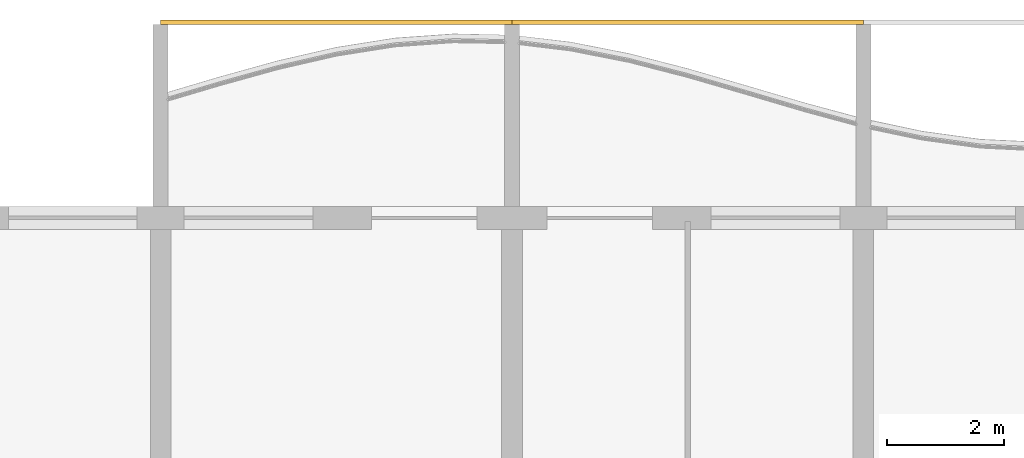
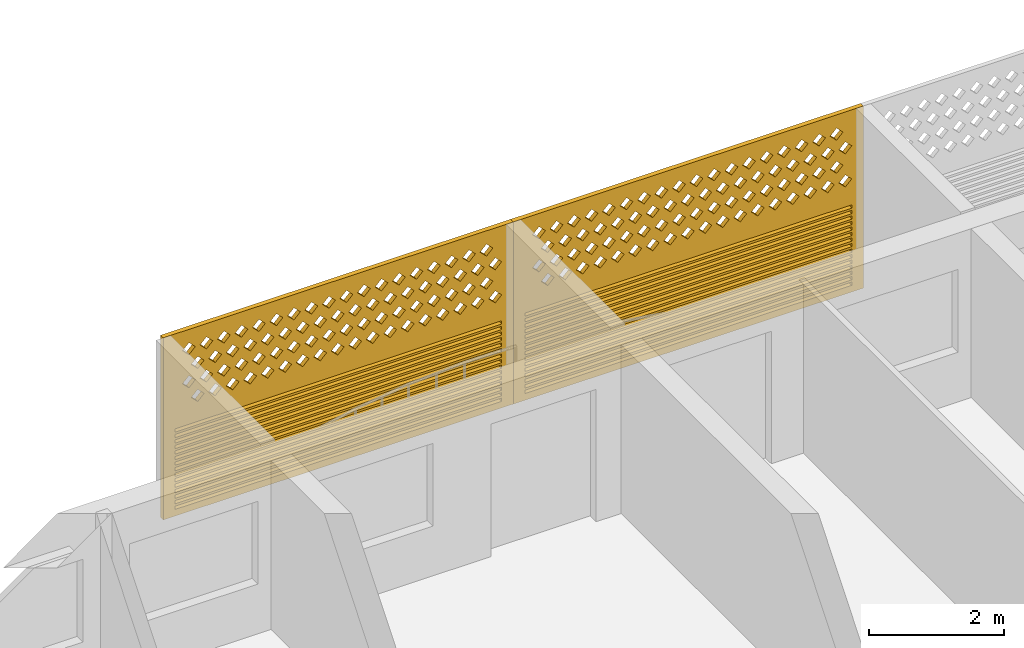
# One storey, part 22 of 31: 2 coverings.
"""IFC4 building model written with IfcOpenShell, lengths in metres."""

from ifc_helpers import new_model, si_unit, direction, frame, origin, place, context, subcontext, project, spatial, polyline, outline, extrude, source, transform, mapped, material, material_profile, profile_set, type_object, element, save


model = new_model("IFC4")

# Units and contexts
model_context = context("Model", 3, precision=1e-05, world=origin(), true_north=direction((0.0, 1.0)))
body_context = subcontext(model_context, "Body", "Model", "MODEL_VIEW")
ifc_project = project(units=[si_unit("LENGTHUNIT", "METRE"), si_unit("AREAUNIT", "SQUARE_METRE"), si_unit("VOLUMEUNIT", "CUBIC_METRE"), si_unit("PLANEANGLEUNIT", "RADIAN"), si_unit("MASSUNIT", "GRAM", prefix="KILO")], contexts=[model_context])

# Site, building, storey
site_placement = place(None, origin())
site = spatial("IfcSite", under=ifc_project, at=site_placement, CompositionType="ELEMENT")
building_placement = place(site_placement, origin())
building = spatial("IfcBuilding", under=site, at=building_placement, Name="Poui Terraces", CompositionType="ELEMENT")
storey_placement = place(building_placement, frame((0.0, 0.0, 82.800048828125)))
storey = spatial("IfcBuildingStorey", under=building, at=storey_placement, Name="L22", CompositionType="ELEMENT", Elevation=82.800048828125)

# Coverings
ifc_material = material(Name="Terracotta screen", Category="masonry")
ifc_material_profile = material_profile(ifc_material, outline(polyline([(-3.0, -1.64990234375), (3.0, -1.64990234375), (3.0, 1.64990234375), (-3.0, 1.64990234375), (-3.0, -1.64990234375)]), holes=[polyline([(-2.800048828125, 0.39990234375), (-2.68994140625, 0.2900390625), (-2.580078125, 0.39990234375), (-2.68994140625, 0.510009765625), (-2.800048828125, 0.39990234375)]), polyline([(-2.5, 0.39990234375), (-2.389892578125, 0.2900390625), (-2.280029296875, 0.39990234375), (-2.389892578125, 0.510009765625), (-2.5, 0.39990234375)]), polyline([(-2.199951171875, 0.39990234375), (-2.090087890625, 0.2900390625), (-1.97998046875, 0.39990234375), (-2.090087890625, 0.510009765625), (-2.199951171875, 0.39990234375)]), polyline([(-1.89990234375, 0.39990234375), (-1.7900390625, 0.2900390625), (-1.679931640625, 0.39990234375), (-1.7900390625, 0.510009765625), (-1.89990234375, 0.39990234375)]), polyline([(-1.60009765625, 0.39990234375), (-1.489990234375, 0.2900390625), (-1.3798828125, 0.39990234375), (-1.489990234375, 0.510009765625), (-1.60009765625, 0.39990234375)]), polyline([(-1.300048828125, 0.39990234375), (-1.18994140625, 0.2900390625), (-1.080078125, 0.39990234375), (-1.18994140625, 0.510009765625), (-1.300048828125, 0.39990234375)]), polyline([(-1.0, 0.39990234375), (-0.889892578125, 0.2900390625), (-0.780029296875, 0.39990234375), (-0.889892578125, 0.510009765625), (-1.0, 0.39990234375)]), polyline([(-0.699951171875, 0.39990234375), (-0.590087890625, 0.2900390625), (-0.47998046875, 0.39990234375), (-0.590087890625, 0.510009765625), (-0.699951171875, 0.39990234375)]), polyline([(-0.39990234375, 0.39990234375), (-0.2900390625, 0.2900390625), (-0.179931640625, 0.39990234375), (-0.2900390625, 0.510009765625), (-0.39990234375, 0.39990234375)]), polyline([(-0.10009765625, 0.39990234375), (0.010009765625, 0.2900390625), (0.1201171875, 0.39990234375), (0.010009765625, 0.510009765625), (-0.10009765625, 0.39990234375)]), polyline([(0.199951171875, 0.39990234375), (0.31005859375, 0.2900390625), (0.419921875, 0.39990234375), (0.31005859375, 0.510009765625), (0.199951171875, 0.39990234375)]), polyline([(0.5, 0.39990234375), (0.610107421875, 0.2900390625), (0.719970703125, 0.39990234375), (0.610107421875, 0.510009765625), (0.5, 0.39990234375)]), polyline([(0.800048828125, 0.39990234375), (0.909912109375, 0.2900390625), (1.02001953125, 0.39990234375), (0.909912109375, 0.510009765625), (0.800048828125, 0.39990234375)]), polyline([(1.10009765625, 0.39990234375), (1.2099609375, 0.2900390625), (1.320068359375, 0.39990234375), (1.2099609375, 0.510009765625), (1.10009765625, 0.39990234375)]), polyline([(1.39990234375, 0.39990234375), (1.510009765625, 0.2900390625), (1.6201171875, 0.39990234375), (1.510009765625, 0.510009765625), (1.39990234375, 0.39990234375)]), polyline([(1.699951171875, 0.39990234375), (1.81005859375, 0.2900390625), (1.919921875, 0.39990234375), (1.81005859375, 0.510009765625), (1.699951171875, 0.39990234375)]), polyline([(2.0, 0.39990234375), (2.110107421875, 0.2900390625), (2.219970703125, 0.39990234375), (2.110107421875, 0.510009765625), (2.0, 0.39990234375)]), polyline([(2.300048828125, 0.39990234375), (2.409912109375, 0.2900390625), (2.52001953125, 0.39990234375), (2.409912109375, 0.510009765625), (2.300048828125, 0.39990234375)]), polyline([(-2.64990234375, 0.699951171875), (-2.5400390625, 0.590087890625), (-2.429931640625, 0.699951171875), (-2.5400390625, 0.81005859375), (-2.64990234375, 0.699951171875)]), polyline([(-2.35009765625, 0.699951171875), (-2.239990234375, 0.590087890625), (-2.1298828125, 0.699951171875), (-2.239990234375, 0.81005859375), (-2.35009765625, 0.699951171875)]), polyline([(-2.050048828125, 0.699951171875), (-1.93994140625, 0.590087890625), (-1.830078125, 0.699951171875), (-1.93994140625, 0.81005859375), (-2.050048828125, 0.699951171875)]), polyline([(-1.75, 0.699951171875), (-1.639892578125, 0.590087890625), (-1.530029296875, 0.699951171875), (-1.639892578125, 0.81005859375), (-1.75, 0.699951171875)]), polyline([(-1.449951171875, 0.699951171875), (-1.340087890625, 0.590087890625), (-1.22998046875, 0.699951171875), (-1.340087890625, 0.81005859375), (-1.449951171875, 0.699951171875)]), polyline([(-1.14990234375, 0.699951171875), (-1.0400390625, 0.590087890625), (-0.929931640625, 0.699951171875), (-1.0400390625, 0.81005859375), (-1.14990234375, 0.699951171875)]), polyline([(-0.85009765625, 0.699951171875), (-0.739990234375, 0.590087890625), (-0.6298828125, 0.699951171875), (-0.739990234375, 0.81005859375), (-0.85009765625, 0.699951171875)]), polyline([(-0.550048828125, 0.699951171875), (-0.43994140625, 0.590087890625), (-0.330078125, 0.699951171875), (-0.43994140625, 0.81005859375), (-0.550048828125, 0.699951171875)]), polyline([(-0.25, 0.699951171875), (-0.139892578125, 0.590087890625), (-0.030029296875, 0.699951171875), (-0.139892578125, 0.81005859375), (-0.25, 0.699951171875)]), polyline([(0.050048828125, 0.699951171875), (0.159912109375, 0.590087890625), (0.27001953125, 0.699951171875), (0.159912109375, 0.81005859375), (0.050048828125, 0.699951171875)]), polyline([(0.35009765625, 0.699951171875), (0.4599609375, 0.590087890625), (0.570068359375, 0.699951171875), (0.4599609375, 0.81005859375), (0.35009765625, 0.699951171875)]), polyline([(0.64990234375, 0.699951171875), (0.760009765625, 0.590087890625), (0.8701171875, 0.699951171875), (0.760009765625, 0.81005859375), (0.64990234375, 0.699951171875)]), polyline([(0.949951171875, 0.699951171875), (1.06005859375, 0.590087890625), (1.169921875, 0.699951171875), (1.06005859375, 0.81005859375), (0.949951171875, 0.699951171875)]), polyline([(1.25, 0.699951171875), (1.360107421875, 0.590087890625), (1.469970703125, 0.699951171875), (1.360107421875, 0.81005859375), (1.25, 0.699951171875)]), polyline([(1.550048828125, 0.699951171875), (1.659912109375, 0.590087890625), (1.77001953125, 0.699951171875), (1.659912109375, 0.81005859375), (1.550048828125, 0.699951171875)]), polyline([(1.85009765625, 0.699951171875), (1.9599609375, 0.590087890625), (2.070068359375, 0.699951171875), (1.9599609375, 0.81005859375), (1.85009765625, 0.699951171875)]), polyline([(2.14990234375, 0.699951171875), (2.260009765625, 0.590087890625), (2.3701171875, 0.699951171875), (2.260009765625, 0.81005859375), (2.14990234375, 0.699951171875)]), polyline([(2.449951171875, 0.699951171875), (2.56005859375, 0.590087890625), (2.669921875, 0.699951171875), (2.56005859375, 0.81005859375), (2.449951171875, 0.699951171875)]), polyline([(-2.800048828125, 1.0), (-2.68994140625, 0.889892578125), (-2.580078125, 1.0), (-2.68994140625, 1.110107421875), (-2.800048828125, 1.0)]), polyline([(-2.5, 1.0), (-2.389892578125, 0.889892578125), (-2.280029296875, 1.0), (-2.389892578125, 1.110107421875), (-2.5, 1.0)]), polyline([(-2.199951171875, 1.0), (-2.090087890625, 0.889892578125), (-1.97998046875, 1.0), (-2.090087890625, 1.110107421875), (-2.199951171875, 1.0)]), polyline([(-1.89990234375, 1.0), (-1.7900390625, 0.889892578125), (-1.679931640625, 1.0), (-1.7900390625, 1.110107421875), (-1.89990234375, 1.0)]), polyline([(-1.60009765625, 1.0), (-1.489990234375, 0.889892578125), (-1.3798828125, 1.0), (-1.489990234375, 1.110107421875), (-1.60009765625, 1.0)]), polyline([(-1.300048828125, 1.0), (-1.18994140625, 0.889892578125), (-1.080078125, 1.0), (-1.18994140625, 1.110107421875), (-1.300048828125, 1.0)]), polyline([(-1.0, 1.0), (-0.889892578125, 0.889892578125), (-0.780029296875, 1.0), (-0.889892578125, 1.110107421875), (-1.0, 1.0)]), polyline([(-0.699951171875, 1.0), (-0.590087890625, 0.889892578125), (-0.47998046875, 1.0), (-0.590087890625, 1.110107421875), (-0.699951171875, 1.0)]), polyline([(-0.39990234375, 1.0), (-0.2900390625, 0.889892578125), (-0.179931640625, 1.0), (-0.2900390625, 1.110107421875), (-0.39990234375, 1.0)]), polyline([(-0.10009765625, 1.0), (0.010009765625, 0.889892578125), (0.1201171875, 1.0), (0.010009765625, 1.110107421875), (-0.10009765625, 1.0)]), polyline([(0.199951171875, 1.0), (0.31005859375, 0.889892578125), (0.419921875, 1.0), (0.31005859375, 1.110107421875), (0.199951171875, 1.0)]), polyline([(0.5, 1.0), (0.610107421875, 0.889892578125), (0.719970703125, 1.0), (0.610107421875, 1.110107421875), (0.5, 1.0)]), polyline([(0.800048828125, 1.0), (0.909912109375, 0.889892578125), (1.02001953125, 1.0), (0.909912109375, 1.110107421875), (0.800048828125, 1.0)]), polyline([(1.10009765625, 1.0), (1.2099609375, 0.889892578125), (1.320068359375, 1.0), (1.2099609375, 1.110107421875), (1.10009765625, 1.0)]), polyline([(1.39990234375, 1.0), (1.510009765625, 0.889892578125), (1.6201171875, 1.0), (1.510009765625, 1.110107421875), (1.39990234375, 1.0)]), polyline([(1.699951171875, 1.0), (1.81005859375, 0.889892578125), (1.919921875, 1.0), (1.81005859375, 1.110107421875), (1.699951171875, 1.0)]), polyline([(2.0, 1.0), (2.110107421875, 0.889892578125), (2.219970703125, 1.0), (2.110107421875, 1.110107421875), (2.0, 1.0)]), polyline([(2.300048828125, 1.0), (2.409912109375, 0.889892578125), (2.52001953125, 1.0), (2.409912109375, 1.110107421875), (2.300048828125, 1.0)]), polyline([(-2.64990234375, 1.300048828125), (-2.5400390625, 1.18994140625), (-2.429931640625, 1.300048828125), (-2.5400390625, 1.409912109375), (-2.64990234375, 1.300048828125)]), polyline([(-2.35009765625, 1.300048828125), (-2.239990234375, 1.18994140625), (-2.1298828125, 1.300048828125), (-2.239990234375, 1.409912109375), (-2.35009765625, 1.300048828125)]), polyline([(-2.050048828125, 1.300048828125), (-1.93994140625, 1.18994140625), (-1.830078125, 1.300048828125), (-1.93994140625, 1.409912109375), (-2.050048828125, 1.300048828125)]), polyline([(-1.75, 1.300048828125), (-1.639892578125, 1.18994140625), (-1.530029296875, 1.300048828125), (-1.639892578125, 1.409912109375), (-1.75, 1.300048828125)]), polyline([(-1.449951171875, 1.300048828125), (-1.340087890625, 1.18994140625), (-1.22998046875, 1.300048828125), (-1.340087890625, 1.409912109375), (-1.449951171875, 1.300048828125)]), polyline([(-1.14990234375, 1.300048828125), (-1.0400390625, 1.18994140625), (-0.929931640625, 1.300048828125), (-1.0400390625, 1.409912109375), (-1.14990234375, 1.300048828125)]), polyline([(-0.85009765625, 1.300048828125), (-0.739990234375, 1.18994140625), (-0.6298828125, 1.300048828125), (-0.739990234375, 1.409912109375), (-0.85009765625, 1.300048828125)]), polyline([(-0.550048828125, 1.300048828125), (-0.43994140625, 1.18994140625), (-0.330078125, 1.300048828125), (-0.43994140625, 1.409912109375), (-0.550048828125, 1.300048828125)]), polyline([(-0.25, 1.300048828125), (-0.139892578125, 1.18994140625), (-0.030029296875, 1.300048828125), (-0.139892578125, 1.409912109375), (-0.25, 1.300048828125)]), polyline([(0.050048828125, 1.300048828125), (0.159912109375, 1.18994140625), (0.27001953125, 1.300048828125), (0.159912109375, 1.409912109375), (0.050048828125, 1.300048828125)]), polyline([(0.35009765625, 1.300048828125), (0.4599609375, 1.18994140625), (0.570068359375, 1.300048828125), (0.4599609375, 1.409912109375), (0.35009765625, 1.300048828125)]), polyline([(0.64990234375, 1.300048828125), (0.760009765625, 1.18994140625), (0.8701171875, 1.300048828125), (0.760009765625, 1.409912109375), (0.64990234375, 1.300048828125)]), polyline([(0.949951171875, 1.300048828125), (1.06005859375, 1.18994140625), (1.169921875, 1.300048828125), (1.06005859375, 1.409912109375), (0.949951171875, 1.300048828125)]), polyline([(1.25, 1.300048828125), (1.360107421875, 1.18994140625), (1.469970703125, 1.300048828125), (1.360107421875, 1.409912109375), (1.25, 1.300048828125)]), polyline([(1.550048828125, 1.300048828125), (1.659912109375, 1.18994140625), (1.77001953125, 1.300048828125), (1.659912109375, 1.409912109375), (1.550048828125, 1.300048828125)]), polyline([(1.85009765625, 1.300048828125), (1.9599609375, 1.18994140625), (2.070068359375, 1.300048828125), (1.9599609375, 1.409912109375), (1.85009765625, 1.300048828125)]), polyline([(2.14990234375, 1.300048828125), (2.260009765625, 1.18994140625), (2.3701171875, 1.300048828125), (2.260009765625, 1.409912109375), (2.14990234375, 1.300048828125)]), polyline([(2.449951171875, 1.300048828125), (2.56005859375, 1.18994140625), (2.669921875, 1.300048828125), (2.56005859375, 1.409912109375), (2.449951171875, 1.300048828125)]), polyline([(-2.800048828125, -1.530029296875), (2.800048828125, -1.530029296875), (2.800048828125, -1.469970703125), (-2.800048828125, -1.469970703125), (-2.800048828125, -1.530029296875)]), polyline([(-2.800048828125, -1.429931640625), (2.800048828125, -1.429931640625), (2.800048828125, -1.3701171875), (-2.800048828125, -1.3701171875), (-2.800048828125, -1.429931640625)]), polyline([(-2.800048828125, -1.330078125), (2.800048828125, -1.330078125), (2.800048828125, -1.27001953125), (-2.800048828125, -1.27001953125), (-2.800048828125, -1.330078125)]), polyline([(-2.800048828125, -1.22998046875), (2.800048828125, -1.22998046875), (2.800048828125, -1.169921875), (-2.800048828125, -1.169921875), (-2.800048828125, -1.22998046875)]), polyline([(-2.800048828125, -1.1298828125), (2.800048828125, -1.1298828125), (2.800048828125, -1.070068359375), (-2.800048828125, -1.070068359375), (-2.800048828125, -1.1298828125)]), polyline([(-2.800048828125, -1.030029296875), (2.800048828125, -1.030029296875), (2.800048828125, -0.969970703125), (-2.800048828125, -0.969970703125), (-2.800048828125, -1.030029296875)]), polyline([(-2.800048828125, -0.929931640625), (2.800048828125, -0.929931640625), (2.800048828125, -0.8701171875), (-2.800048828125, -0.8701171875), (-2.800048828125, -0.929931640625)]), polyline([(-2.800048828125, -0.830078125), (2.800048828125, -0.830078125), (2.800048828125, -0.77001953125), (-2.800048828125, -0.77001953125), (-2.800048828125, -0.830078125)]), polyline([(-2.800048828125, -0.72998046875), (2.800048828125, -0.72998046875), (2.800048828125, -0.669921875), (-2.800048828125, -0.669921875), (-2.800048828125, -0.72998046875)]), polyline([(-2.800048828125, -0.6298828125), (2.800048828125, -0.6298828125), (2.800048828125, -0.570068359375), (-2.800048828125, -0.570068359375), (-2.800048828125, -0.6298828125)]), polyline([(-2.800048828125, -0.530029296875), (2.800048828125, -0.530029296875), (2.800048828125, -0.469970703125), (-2.800048828125, -0.469970703125), (-2.800048828125, -0.530029296875)]), polyline([(-2.800048828125, -0.429931640625), (2.800048828125, -0.429931640625), (2.800048828125, -0.3701171875), (-2.800048828125, -0.3701171875), (-2.800048828125, -0.429931640625)]), polyline([(-2.800048828125, -0.330078125), (2.800048828125, -0.330078125), (2.800048828125, -0.27001953125), (-2.800048828125, -0.27001953125), (-2.800048828125, -0.330078125)]), polyline([(-2.800048828125, -0.22998046875), (2.800048828125, -0.22998046875), (2.800048828125, -0.169921875), (-2.800048828125, -0.169921875), (-2.800048828125, -0.22998046875)]), polyline([(-2.800048828125, -0.1298828125), (2.800048828125, -0.1298828125), (2.800048828125, -0.070068359375), (-2.800048828125, -0.070068359375), (-2.800048828125, -0.1298828125)])]), Name="TERRACOTTA SCREEN AND JALOUSIE LOUVRE 6000X3300")
ifc_profile_set = profile_set([ifc_material_profile], Name="Terracotta screen")
covering_type = type_object("IfcCoveringType", Name="TERRACOTTA SCREEN AND JALOUSIE LOUVRE 6000X3300", PredefinedType="CLADDING", material=ifc_profile_set)
shared_shape = source(origin(), body_context, "Body", "SweptSolid", [
    extrude(outline(polyline([(-3.0, -1.64990234375), (3.0, -1.64990234375), (3.0, 1.64990234375), (-3.0, 1.64990234375), (-3.0, -1.64990234375)]), holes=[polyline([(-2.800048828125, 0.39990234375), (-2.68994140625, 0.2900390625), (-2.580078125, 0.39990234375), (-2.68994140625, 0.510009765625), (-2.800048828125, 0.39990234375)]), polyline([(-2.5, 0.39990234375), (-2.389892578125, 0.2900390625), (-2.280029296875, 0.39990234375), (-2.389892578125, 0.510009765625), (-2.5, 0.39990234375)]), polyline([(-2.199951171875, 0.39990234375), (-2.090087890625, 0.2900390625), (-1.97998046875, 0.39990234375), (-2.090087890625, 0.510009765625), (-2.199951171875, 0.39990234375)]), polyline([(-1.89990234375, 0.39990234375), (-1.7900390625, 0.2900390625), (-1.679931640625, 0.39990234375), (-1.7900390625, 0.510009765625), (-1.89990234375, 0.39990234375)]), polyline([(-1.60009765625, 0.39990234375), (-1.489990234375, 0.2900390625), (-1.3798828125, 0.39990234375), (-1.489990234375, 0.510009765625), (-1.60009765625, 0.39990234375)]), polyline([(-1.300048828125, 0.39990234375), (-1.18994140625, 0.2900390625), (-1.080078125, 0.39990234375), (-1.18994140625, 0.510009765625), (-1.300048828125, 0.39990234375)]), polyline([(-1.0, 0.39990234375), (-0.889892578125, 0.2900390625), (-0.780029296875, 0.39990234375), (-0.889892578125, 0.510009765625), (-1.0, 0.39990234375)]), polyline([(-0.699951171875, 0.39990234375), (-0.590087890625, 0.2900390625), (-0.47998046875, 0.39990234375), (-0.590087890625, 0.510009765625), (-0.699951171875, 0.39990234375)]), polyline([(-0.39990234375, 0.39990234375), (-0.2900390625, 0.2900390625), (-0.179931640625, 0.39990234375), (-0.2900390625, 0.510009765625), (-0.39990234375, 0.39990234375)]), polyline([(-0.10009765625, 0.39990234375), (0.010009765625, 0.2900390625), (0.1201171875, 0.39990234375), (0.010009765625, 0.510009765625), (-0.10009765625, 0.39990234375)]), polyline([(0.199951171875, 0.39990234375), (0.31005859375, 0.2900390625), (0.419921875, 0.39990234375), (0.31005859375, 0.510009765625), (0.199951171875, 0.39990234375)]), polyline([(0.5, 0.39990234375), (0.610107421875, 0.2900390625), (0.719970703125, 0.39990234375), (0.610107421875, 0.510009765625), (0.5, 0.39990234375)]), polyline([(0.800048828125, 0.39990234375), (0.909912109375, 0.2900390625), (1.02001953125, 0.39990234375), (0.909912109375, 0.510009765625), (0.800048828125, 0.39990234375)]), polyline([(1.10009765625, 0.39990234375), (1.2099609375, 0.2900390625), (1.320068359375, 0.39990234375), (1.2099609375, 0.510009765625), (1.10009765625, 0.39990234375)]), polyline([(1.39990234375, 0.39990234375), (1.510009765625, 0.2900390625), (1.6201171875, 0.39990234375), (1.510009765625, 0.510009765625), (1.39990234375, 0.39990234375)]), polyline([(1.699951171875, 0.39990234375), (1.81005859375, 0.2900390625), (1.919921875, 0.39990234375), (1.81005859375, 0.510009765625), (1.699951171875, 0.39990234375)]), polyline([(2.0, 0.39990234375), (2.110107421875, 0.2900390625), (2.219970703125, 0.39990234375), (2.110107421875, 0.510009765625), (2.0, 0.39990234375)]), polyline([(2.300048828125, 0.39990234375), (2.409912109375, 0.2900390625), (2.52001953125, 0.39990234375), (2.409912109375, 0.510009765625), (2.300048828125, 0.39990234375)]), polyline([(-2.64990234375, 0.699951171875), (-2.5400390625, 0.590087890625), (-2.429931640625, 0.699951171875), (-2.5400390625, 0.81005859375), (-2.64990234375, 0.699951171875)]), polyline([(-2.35009765625, 0.699951171875), (-2.239990234375, 0.590087890625), (-2.1298828125, 0.699951171875), (-2.239990234375, 0.81005859375), (-2.35009765625, 0.699951171875)]), polyline([(-2.050048828125, 0.699951171875), (-1.93994140625, 0.590087890625), (-1.830078125, 0.699951171875), (-1.93994140625, 0.81005859375), (-2.050048828125, 0.699951171875)]), polyline([(-1.75, 0.699951171875), (-1.639892578125, 0.590087890625), (-1.530029296875, 0.699951171875), (-1.639892578125, 0.81005859375), (-1.75, 0.699951171875)]), polyline([(-1.449951171875, 0.699951171875), (-1.340087890625, 0.590087890625), (-1.22998046875, 0.699951171875), (-1.340087890625, 0.81005859375), (-1.449951171875, 0.699951171875)]), polyline([(-1.14990234375, 0.699951171875), (-1.0400390625, 0.590087890625), (-0.929931640625, 0.699951171875), (-1.0400390625, 0.81005859375), (-1.14990234375, 0.699951171875)]), polyline([(-0.85009765625, 0.699951171875), (-0.739990234375, 0.590087890625), (-0.6298828125, 0.699951171875), (-0.739990234375, 0.81005859375), (-0.85009765625, 0.699951171875)]), polyline([(-0.550048828125, 0.699951171875), (-0.43994140625, 0.590087890625), (-0.330078125, 0.699951171875), (-0.43994140625, 0.81005859375), (-0.550048828125, 0.699951171875)]), polyline([(-0.25, 0.699951171875), (-0.139892578125, 0.590087890625), (-0.030029296875, 0.699951171875), (-0.139892578125, 0.81005859375), (-0.25, 0.699951171875)]), polyline([(0.050048828125, 0.699951171875), (0.159912109375, 0.590087890625), (0.27001953125, 0.699951171875), (0.159912109375, 0.81005859375), (0.050048828125, 0.699951171875)]), polyline([(0.35009765625, 0.699951171875), (0.4599609375, 0.590087890625), (0.570068359375, 0.699951171875), (0.4599609375, 0.81005859375), (0.35009765625, 0.699951171875)]), polyline([(0.64990234375, 0.699951171875), (0.760009765625, 0.590087890625), (0.8701171875, 0.699951171875), (0.760009765625, 0.81005859375), (0.64990234375, 0.699951171875)]), polyline([(0.949951171875, 0.699951171875), (1.06005859375, 0.590087890625), (1.169921875, 0.699951171875), (1.06005859375, 0.81005859375), (0.949951171875, 0.699951171875)]), polyline([(1.25, 0.699951171875), (1.360107421875, 0.590087890625), (1.469970703125, 0.699951171875), (1.360107421875, 0.81005859375), (1.25, 0.699951171875)]), polyline([(1.550048828125, 0.699951171875), (1.659912109375, 0.590087890625), (1.77001953125, 0.699951171875), (1.659912109375, 0.81005859375), (1.550048828125, 0.699951171875)]), polyline([(1.85009765625, 0.699951171875), (1.9599609375, 0.590087890625), (2.070068359375, 0.699951171875), (1.9599609375, 0.81005859375), (1.85009765625, 0.699951171875)]), polyline([(2.14990234375, 0.699951171875), (2.260009765625, 0.590087890625), (2.3701171875, 0.699951171875), (2.260009765625, 0.81005859375), (2.14990234375, 0.699951171875)]), polyline([(2.449951171875, 0.699951171875), (2.56005859375, 0.590087890625), (2.669921875, 0.699951171875), (2.56005859375, 0.81005859375), (2.449951171875, 0.699951171875)]), polyline([(-2.800048828125, 1.0), (-2.68994140625, 0.889892578125), (-2.580078125, 1.0), (-2.68994140625, 1.110107421875), (-2.800048828125, 1.0)]), polyline([(-2.5, 1.0), (-2.389892578125, 0.889892578125), (-2.280029296875, 1.0), (-2.389892578125, 1.110107421875), (-2.5, 1.0)]), polyline([(-2.199951171875, 1.0), (-2.090087890625, 0.889892578125), (-1.97998046875, 1.0), (-2.090087890625, 1.110107421875), (-2.199951171875, 1.0)]), polyline([(-1.89990234375, 1.0), (-1.7900390625, 0.889892578125), (-1.679931640625, 1.0), (-1.7900390625, 1.110107421875), (-1.89990234375, 1.0)]), polyline([(-1.60009765625, 1.0), (-1.489990234375, 0.889892578125), (-1.3798828125, 1.0), (-1.489990234375, 1.110107421875), (-1.60009765625, 1.0)]), polyline([(-1.300048828125, 1.0), (-1.18994140625, 0.889892578125), (-1.080078125, 1.0), (-1.18994140625, 1.110107421875), (-1.300048828125, 1.0)]), polyline([(-1.0, 1.0), (-0.889892578125, 0.889892578125), (-0.780029296875, 1.0), (-0.889892578125, 1.110107421875), (-1.0, 1.0)]), polyline([(-0.699951171875, 1.0), (-0.590087890625, 0.889892578125), (-0.47998046875, 1.0), (-0.590087890625, 1.110107421875), (-0.699951171875, 1.0)]), polyline([(-0.39990234375, 1.0), (-0.2900390625, 0.889892578125), (-0.179931640625, 1.0), (-0.2900390625, 1.110107421875), (-0.39990234375, 1.0)]), polyline([(-0.10009765625, 1.0), (0.010009765625, 0.889892578125), (0.1201171875, 1.0), (0.010009765625, 1.110107421875), (-0.10009765625, 1.0)]), polyline([(0.199951171875, 1.0), (0.31005859375, 0.889892578125), (0.419921875, 1.0), (0.31005859375, 1.110107421875), (0.199951171875, 1.0)]), polyline([(0.5, 1.0), (0.610107421875, 0.889892578125), (0.719970703125, 1.0), (0.610107421875, 1.110107421875), (0.5, 1.0)]), polyline([(0.800048828125, 1.0), (0.909912109375, 0.889892578125), (1.02001953125, 1.0), (0.909912109375, 1.110107421875), (0.800048828125, 1.0)]), polyline([(1.10009765625, 1.0), (1.2099609375, 0.889892578125), (1.320068359375, 1.0), (1.2099609375, 1.110107421875), (1.10009765625, 1.0)]), polyline([(1.39990234375, 1.0), (1.510009765625, 0.889892578125), (1.6201171875, 1.0), (1.510009765625, 1.110107421875), (1.39990234375, 1.0)]), polyline([(1.699951171875, 1.0), (1.81005859375, 0.889892578125), (1.919921875, 1.0), (1.81005859375, 1.110107421875), (1.699951171875, 1.0)]), polyline([(2.0, 1.0), (2.110107421875, 0.889892578125), (2.219970703125, 1.0), (2.110107421875, 1.110107421875), (2.0, 1.0)]), polyline([(2.300048828125, 1.0), (2.409912109375, 0.889892578125), (2.52001953125, 1.0), (2.409912109375, 1.110107421875), (2.300048828125, 1.0)]), polyline([(-2.64990234375, 1.300048828125), (-2.5400390625, 1.18994140625), (-2.429931640625, 1.300048828125), (-2.5400390625, 1.409912109375), (-2.64990234375, 1.300048828125)]), polyline([(-2.35009765625, 1.300048828125), (-2.239990234375, 1.18994140625), (-2.1298828125, 1.300048828125), (-2.239990234375, 1.409912109375), (-2.35009765625, 1.300048828125)]), polyline([(-2.050048828125, 1.300048828125), (-1.93994140625, 1.18994140625), (-1.830078125, 1.300048828125), (-1.93994140625, 1.409912109375), (-2.050048828125, 1.300048828125)]), polyline([(-1.75, 1.300048828125), (-1.639892578125, 1.18994140625), (-1.530029296875, 1.300048828125), (-1.639892578125, 1.409912109375), (-1.75, 1.300048828125)]), polyline([(-1.449951171875, 1.300048828125), (-1.340087890625, 1.18994140625), (-1.22998046875, 1.300048828125), (-1.340087890625, 1.409912109375), (-1.449951171875, 1.300048828125)]), polyline([(-1.14990234375, 1.300048828125), (-1.0400390625, 1.18994140625), (-0.929931640625, 1.300048828125), (-1.0400390625, 1.409912109375), (-1.14990234375, 1.300048828125)]), polyline([(-0.85009765625, 1.300048828125), (-0.739990234375, 1.18994140625), (-0.6298828125, 1.300048828125), (-0.739990234375, 1.409912109375), (-0.85009765625, 1.300048828125)]), polyline([(-0.550048828125, 1.300048828125), (-0.43994140625, 1.18994140625), (-0.330078125, 1.300048828125), (-0.43994140625, 1.409912109375), (-0.550048828125, 1.300048828125)]), polyline([(-0.25, 1.300048828125), (-0.139892578125, 1.18994140625), (-0.030029296875, 1.300048828125), (-0.139892578125, 1.409912109375), (-0.25, 1.300048828125)]), polyline([(0.050048828125, 1.300048828125), (0.159912109375, 1.18994140625), (0.27001953125, 1.300048828125), (0.159912109375, 1.409912109375), (0.050048828125, 1.300048828125)]), polyline([(0.35009765625, 1.300048828125), (0.4599609375, 1.18994140625), (0.570068359375, 1.300048828125), (0.4599609375, 1.409912109375), (0.35009765625, 1.300048828125)]), polyline([(0.64990234375, 1.300048828125), (0.760009765625, 1.18994140625), (0.8701171875, 1.300048828125), (0.760009765625, 1.409912109375), (0.64990234375, 1.300048828125)]), polyline([(0.949951171875, 1.300048828125), (1.06005859375, 1.18994140625), (1.169921875, 1.300048828125), (1.06005859375, 1.409912109375), (0.949951171875, 1.300048828125)]), polyline([(1.25, 1.300048828125), (1.360107421875, 1.18994140625), (1.469970703125, 1.300048828125), (1.360107421875, 1.409912109375), (1.25, 1.300048828125)]), polyline([(1.550048828125, 1.300048828125), (1.659912109375, 1.18994140625), (1.77001953125, 1.300048828125), (1.659912109375, 1.409912109375), (1.550048828125, 1.300048828125)]), polyline([(1.85009765625, 1.300048828125), (1.9599609375, 1.18994140625), (2.070068359375, 1.300048828125), (1.9599609375, 1.409912109375), (1.85009765625, 1.300048828125)]), polyline([(2.14990234375, 1.300048828125), (2.260009765625, 1.18994140625), (2.3701171875, 1.300048828125), (2.260009765625, 1.409912109375), (2.14990234375, 1.300048828125)]), polyline([(2.449951171875, 1.300048828125), (2.56005859375, 1.18994140625), (2.669921875, 1.300048828125), (2.56005859375, 1.409912109375), (2.449951171875, 1.300048828125)]), polyline([(-2.800048828125, -1.530029296875), (2.800048828125, -1.530029296875), (2.800048828125, -1.469970703125), (-2.800048828125, -1.469970703125), (-2.800048828125, -1.530029296875)]), polyline([(-2.800048828125, -1.429931640625), (2.800048828125, -1.429931640625), (2.800048828125, -1.3701171875), (-2.800048828125, -1.3701171875), (-2.800048828125, -1.429931640625)]), polyline([(-2.800048828125, -1.330078125), (2.800048828125, -1.330078125), (2.800048828125, -1.27001953125), (-2.800048828125, -1.27001953125), (-2.800048828125, -1.330078125)]), polyline([(-2.800048828125, -1.22998046875), (2.800048828125, -1.22998046875), (2.800048828125, -1.169921875), (-2.800048828125, -1.169921875), (-2.800048828125, -1.22998046875)]), polyline([(-2.800048828125, -1.1298828125), (2.800048828125, -1.1298828125), (2.800048828125, -1.070068359375), (-2.800048828125, -1.070068359375), (-2.800048828125, -1.1298828125)]), polyline([(-2.800048828125, -1.030029296875), (2.800048828125, -1.030029296875), (2.800048828125, -0.969970703125), (-2.800048828125, -0.969970703125), (-2.800048828125, -1.030029296875)]), polyline([(-2.800048828125, -0.929931640625), (2.800048828125, -0.929931640625), (2.800048828125, -0.8701171875), (-2.800048828125, -0.8701171875), (-2.800048828125, -0.929931640625)]), polyline([(-2.800048828125, -0.830078125), (2.800048828125, -0.830078125), (2.800048828125, -0.77001953125), (-2.800048828125, -0.77001953125), (-2.800048828125, -0.830078125)]), polyline([(-2.800048828125, -0.72998046875), (2.800048828125, -0.72998046875), (2.800048828125, -0.669921875), (-2.800048828125, -0.669921875), (-2.800048828125, -0.72998046875)]), polyline([(-2.800048828125, -0.6298828125), (2.800048828125, -0.6298828125), (2.800048828125, -0.570068359375), (-2.800048828125, -0.570068359375), (-2.800048828125, -0.6298828125)]), polyline([(-2.800048828125, -0.530029296875), (2.800048828125, -0.530029296875), (2.800048828125, -0.469970703125), (-2.800048828125, -0.469970703125), (-2.800048828125, -0.530029296875)]), polyline([(-2.800048828125, -0.429931640625), (2.800048828125, -0.429931640625), (2.800048828125, -0.3701171875), (-2.800048828125, -0.3701171875), (-2.800048828125, -0.429931640625)]), polyline([(-2.800048828125, -0.330078125), (2.800048828125, -0.330078125), (2.800048828125, -0.27001953125), (-2.800048828125, -0.27001953125), (-2.800048828125, -0.330078125)]), polyline([(-2.800048828125, -0.22998046875), (2.800048828125, -0.22998046875), (2.800048828125, -0.169921875), (-2.800048828125, -0.169921875), (-2.800048828125, -0.22998046875)]), polyline([(-2.800048828125, -0.1298828125), (2.800048828125, -0.1298828125), (2.800048828125, -0.070068359375), (-2.800048828125, -0.070068359375), (-2.800048828125, -0.1298828125)])]), origin(), (0.0, 0.0, 1.0), 0.080078125),
])
for number, where, z_axis, x_axis, name in (
    (1, (27.0, 46.89990234375, 1.449951171875), (0.0, 1.0, 0.0), (-1.0, 0.0, 0.0), "SOLAR SCREEN AND JALOUSIE LOUVRE"),
    (2, (33.0, 46.89990234375, 1.449951171875), (0.0, 1.0, 0.0), (-1.0, 0.0, 0.0), "SOLAR SCREEN AND JALOUSIE LOUVRE"),
):
    element("IfcCovering", number, at=place(storey_placement, frame(where, z_axis=z_axis, x_axis=x_axis)), inside=storey, type_object=covering_type, Name=name, PredefinedType="CLADDING", context=body_context, shape_type="MappedRepresentation", body=[
        mapped(shared_shape, transform((0.0, 0.0, 0.0))),
    ])

save(model, "model.ifc")
